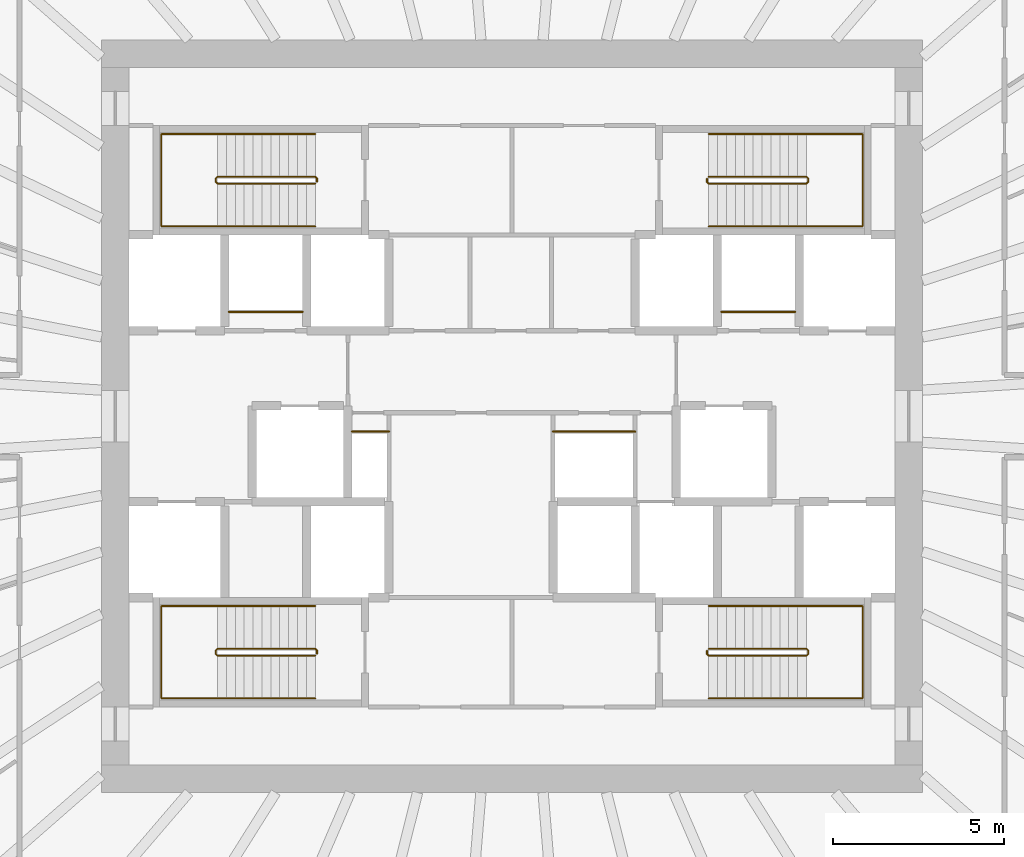
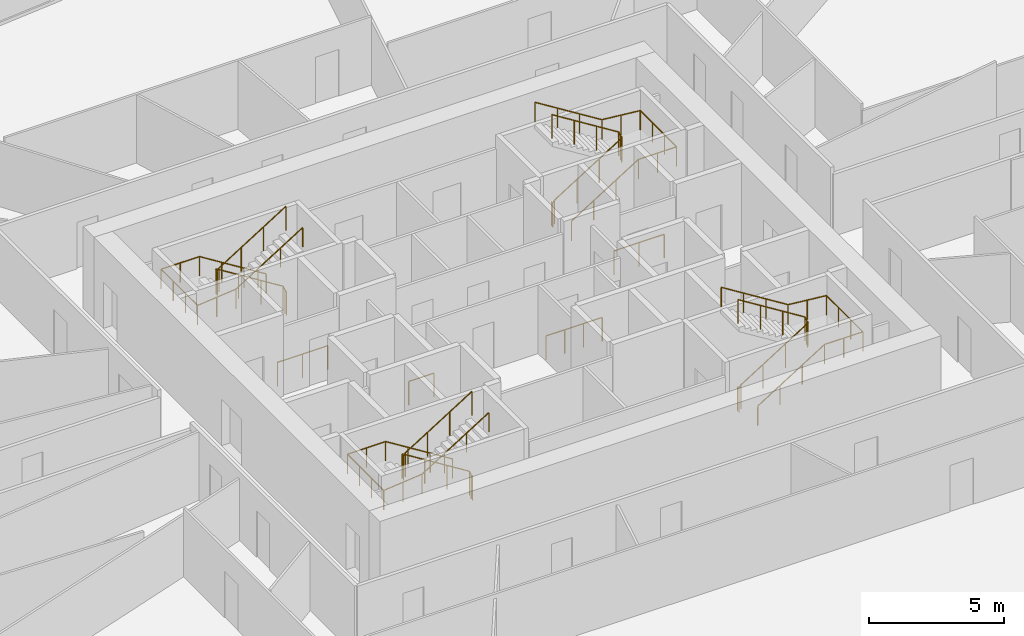
# One storey, part 11 of 11: 12 railings.
"""IFC4 building model written with IfcOpenShell, lengths in metres."""

from ifc_helpers import new_model, si_unit, direction, frame, origin, origin_2d, place, context, subcontext, project, spatial, circle, extrude, source, transform, mapped, material, type_object, element, save


model = new_model("IFC4")

# Units and contexts
model_context = context("Model", 3, precision=1e-05, world=origin(), true_north=direction((0.0, 1.0)))
body_context = subcontext(model_context, "Body", "Model", "MODEL_VIEW")
ifc_project = project(units=[si_unit("LENGTHUNIT", "METRE"), si_unit("AREAUNIT", "SQUARE_METRE"), si_unit("VOLUMEUNIT", "CUBIC_METRE"), si_unit("PLANEANGLEUNIT", "RADIAN"), si_unit("MASSUNIT", "GRAM", prefix="KILO")], contexts=[model_context])

# Site, building, storey
site_placement = place(None, origin())
site = spatial("IfcSite", under=ifc_project, at=site_placement, CompositionType="ELEMENT")
building_placement = place(site_placement, origin())
building = spatial("IfcBuilding", under=site, at=building_placement, Name="Embergate Tower", CompositionType="ELEMENT")
storey_placement = place(building_placement, frame((0.0, 0.0, 139.800048828125)))
storey = spatial("IfcBuildingStorey", under=building, at=storey_placement, Name="L30", CompositionType="ELEMENT", Elevation=139.800048828125)

# Railings
ifc_material_1 = material(Name="Stair guard 1100")
railing_type_1 = type_object("IfcRailingType", Name="Stair guard 1100", PredefinedType="GUARDRAIL", material=ifc_material_1)
shared_shape_1 = source(origin(), body_context, "Body", "SweptSolid", [
    extrude(circle(Radius=0.02392578125, at=origin_2d()), frame((0.0, 0.0, 1.076171875), z_axis=(0.0, 1.0, 0.0), x_axis=(-1.0, 0.0, 0.0)), (0.0, 0.0, 1.0), 0.099853515625),
    extrude(circle(Radius=0.02392578125, at=origin_2d()), frame((0.0, 0.099853515625, 1.076171875), z_axis=(-0.282583949758, 0.282583949758, 0.916674763849), x_axis=(-0.707106781187, -0.707106781187, 0.0)), (0.0, 0.0, 1.0), 0.177001953125),
    extrude(circle(Radius=0.02392578125, at=origin_2d()), frame((-0.050048828125, 0.14990234375, 1.23828125), z_axis=(-0.847994237388, 0.0, 0.530005446535), x_axis=(0.0, -1.0, 0.0)), (0.0, 0.0, 1.0), 3.372802734375),
    extrude(circle(Radius=0.02392578125, at=origin_2d()), frame((-2.91015625, 0.14990234375, 3.02587890625), z_axis=(-0.705375805398, -0.708833529934, 0.0), x_axis=(0.708833529934, -0.705375805398, 0.0)), (0.0, 0.0, 1.0), 0.070556640625),
    extrude(circle(Radius=0.02392578125, at=origin_2d()), frame((-2.9599609375, 0.099853515625, 3.02587890625), z_axis=(0.0, -1.0, 0.0), x_axis=(1.0, 0.0, 0.0)), (0.0, 0.0, 1.0), 0.099853515625),
    extrude(circle(Radius=0.02392578125, at=origin_2d()), frame((-2.9599609375, 0.0, 3.02587890625), z_axis=(0.280959487676, -0.282336740067, 0.917250092119), x_axis=(0.708833529934, 0.705375805398, 0.0)), (0.0, 0.0, 1.0), 0.17724609375),
    extrude(circle(Radius=0.02392578125, at=origin_2d()), frame((-2.91015625, -0.050048828125, 3.1884765625), z_axis=(0.848026770018, 0.0, 0.529953391661), x_axis=(0.0, 1.0, 0.0)), (0.0, 0.0, 1.0), 3.37255859375),
    extrude(circle(Radius=0.02099609375, at=origin_2d()), origin(), (0.0, 0.0, 1.0), 1.052001953125),
    extrude(circle(Radius=0.02099609375, at=origin_2d()), frame((0.0, 0.099853515625, 0.0)), (0.0, 0.0, 1.0), 1.052001953125),
    extrude(circle(Radius=0.02099609375, at=origin_2d()), frame((-0.050048828125, 0.14990234375, 0.162353515625)), (0.0, 0.0, 1.0), 1.052001953125),
    extrude(circle(Radius=0.02099609375, at=origin_2d()), frame((-1.00341796875, 0.14990234375, 0.75830078125)), (0.0, 0.0, 1.0), 1.052001953125),
    extrude(circle(Radius=0.02099609375, at=origin_2d()), frame((-1.956787109375, 0.14990234375, 1.35400390625)), (0.0, 0.0, 1.0), 1.052001953125),
    extrude(circle(Radius=0.02099609375, at=origin_2d()), frame((-2.91015625, 0.14990234375, 1.949951171875)), (0.0, 0.0, 1.0), 1.052001953125),
    extrude(circle(Radius=0.02099609375, at=origin_2d()), frame((-2.9599609375, 0.099853515625, 1.949951171875)), (0.0, 0.0, 1.0), 1.052001953125),
    extrude(circle(Radius=0.02099609375, at=origin_2d()), frame((-2.9599609375, 0.0, 1.949951171875)), (0.0, 0.0, 1.0), 1.052001953125),
    extrude(circle(Radius=0.02099609375, at=origin_2d()), frame((-2.91015625, -0.050048828125, 2.112548828125)), (0.0, 0.0, 1.0), 1.052001953125),
    extrude(circle(Radius=0.02099609375, at=origin_2d()), frame((-1.956787109375, -0.050048828125, 2.708251953125)), (0.0, 0.0, 1.0), 1.052001953125),
    extrude(circle(Radius=0.02099609375, at=origin_2d()), frame((-1.00341796875, -0.050048828125, 3.30419921875)), (0.0, 0.0, 1.0), 1.052001953125),
    extrude(circle(Radius=0.02099609375, at=origin_2d()), frame((-0.050048828125, -0.050048828125, 3.89990234375)), (0.0, 0.0, 1.0), 1.052001953125),
])
for number, where, name in (
    (1, (-5.699951171875, 6.85009765625, 0.0), "L30 ST1 stair guard 1"),
    (2, (-5.699951171875, -6.949951171875, 0.0), "L30 ST3 stair guard 1"),
):
    element("IfcRailing", number, at=place(storey_placement, frame(where)), inside=storey, type_object=railing_type_1, Name=name, PredefinedType="GUARDRAIL", context=body_context, shape_type="MappedRepresentation", body=[
        mapped(shared_shape_1, transform((0.0, 0.0, 0.0))),
    ])
ifc_material_2 = material(Name="Stair handrail 900")
railing_type_2 = type_object("IfcRailingType", Name="Stair handrail 900", PredefinedType="HANDRAIL", material=ifc_material_2)
shared_shape_2 = source(origin(), body_context, "Body", "SweptSolid", [
    extrude(circle(Radius=0.02392578125, at=origin_2d()), frame((0.0, 0.0, 0.8759765625), z_axis=(-0.847994237388, 0.0, 0.530005446535), x_axis=(0.0, -1.0, 0.0)), (0.0, 0.0, 1.0), 3.372802734375),
    extrude(circle(Radius=0.02392578125, at=origin_2d()), frame((-2.860107421875, 0.0, 2.66357421875), z_axis=(-1.0, 0.0, 0.0), x_axis=(0.0, -1.0, 0.0)), (0.0, 0.0, 1.0), 1.639892578125),
    extrude(circle(Radius=0.02392578125, at=origin_2d()), frame((-4.5, 0.0, 2.66357421875), z_axis=(0.0, -1.0, 0.0), x_axis=(1.0, 0.0, 0.0)), (0.0, 0.0, 1.0), 2.699951171875),
    extrude(circle(Radius=0.02392578125, at=origin_2d()), frame((-4.5, -2.699951171875, 2.66357421875), z_axis=(0.995120448088, 0.0, 0.098667592441), x_axis=(0.0, 1.0, 0.0)), (0.0, 0.0, 1.0), 1.64794921875),
    extrude(circle(Radius=0.02392578125, at=origin_2d()), frame((-2.860107421875, -2.699951171875, 2.826171875), z_axis=(0.848026770018, 0.0, 0.529953391661), x_axis=(0.0, 1.0, 0.0)), (0.0, 0.0, 1.0), 3.37255859375),
    extrude(circle(Radius=0.02099609375, at=origin_2d()), origin(), (0.0, 0.0, 1.0), 0.851806640625),
    extrude(circle(Radius=0.02099609375, at=origin_2d()), frame((-0.953369140625, 0.0, 0.595947265625)), (0.0, 0.0, 1.0), 0.851806640625),
    extrude(circle(Radius=0.02099609375, at=origin_2d()), frame((-1.90673828125, 0.0, 1.191650390625)), (0.0, 0.0, 1.0), 0.851806640625),
    extrude(circle(Radius=0.02099609375, at=origin_2d()), frame((-2.860107421875, 0.0, 1.78759765625)), (0.0, 0.0, 1.0), 0.851806640625),
    extrude(circle(Radius=0.02099609375, at=origin_2d()), frame((-3.68017578125, 0.0, 1.78759765625)), (0.0, 0.0, 1.0), 0.851806640625),
    extrude(circle(Radius=0.02099609375, at=origin_2d()), frame((-4.5, 0.0, 1.78759765625)), (0.0, 0.0, 1.0), 0.851806640625),
    extrude(circle(Radius=0.02099609375, at=origin_2d()), frame((-4.5, -0.89990234375, 1.78759765625)), (0.0, 0.0, 1.0), 0.851806640625),
    extrude(circle(Radius=0.02099609375, at=origin_2d()), frame((-4.5, -1.800048828125, 1.78759765625)), (0.0, 0.0, 1.0), 0.851806640625),
    extrude(circle(Radius=0.02099609375, at=origin_2d()), frame((-4.5, -2.699951171875, 1.78759765625)), (0.0, 0.0, 1.0), 0.851806640625),
    extrude(circle(Radius=0.02099609375, at=origin_2d()), frame((-3.68017578125, -2.699951171875, 1.868896484375)), (0.0, 0.0, 1.0), 0.851806640625),
    extrude(circle(Radius=0.02099609375, at=origin_2d()), frame((-2.860107421875, -2.699951171875, 1.9501953125)), (0.0, 0.0, 1.0), 0.851806640625),
    extrude(circle(Radius=0.02099609375, at=origin_2d()), frame((-1.90673828125, -2.699951171875, 2.5458984375)), (0.0, 0.0, 1.0), 0.851806640625),
    extrude(circle(Radius=0.02099609375, at=origin_2d()), frame((-0.953369140625, -2.699951171875, 3.141845703125)), (0.0, 0.0, 1.0), 0.851806640625),
    extrude(circle(Radius=0.02099609375, at=origin_2d()), frame((0.0, -2.699951171875, 3.737548828125)), (0.0, 0.0, 1.0), 0.851806640625),
])
for number, where, name in (
    (3, (-5.75, 8.25, 0.162353515625), "L30 ST1 stair handrail 1"),
    (4, (-5.75, -5.550048828125, 0.162353515625), "L30 ST3 stair handrail 1"),
):
    element("IfcRailing", number, at=place(storey_placement, frame(where)), inside=storey, type_object=railing_type_2, Name=name, PredefinedType="HANDRAIL", context=body_context, shape_type="MappedRepresentation", body=[
        mapped(shared_shape_2, transform((0.0, 0.0, 0.0))),
    ])
shared_shape_3 = source(origin(), body_context, "Body", "SweptSolid", [
    extrude(circle(Radius=0.02392578125, at=origin_2d()), frame((0.0, 0.0, 1.076171875), z_axis=(0.0, -1.0, 0.0), x_axis=(1.0, 0.0, 0.0)), (0.0, 0.0, 1.0), 0.099853515625),
    extrude(circle(Radius=0.02392578125, at=origin_2d()), frame((0.0, -0.099853515625, 1.076171875), z_axis=(0.282583949758, -0.282583949758, 0.916674763849), x_axis=(0.707106781187, 0.707106781187, 0.0)), (0.0, 0.0, 1.0), 0.177001953125),
    extrude(circle(Radius=0.02392578125, at=origin_2d()), frame((0.050048828125, -0.14990234375, 1.23828125), z_axis=(0.847994237388, 0.0, 0.530005446535), x_axis=(0.0, 1.0, 0.0)), (0.0, 0.0, 1.0), 3.372802734375),
    extrude(circle(Radius=0.02392578125, at=origin_2d()), frame((2.91015625, -0.14990234375, 3.02587890625), z_axis=(0.705375805398, 0.708833529934, 0.0), x_axis=(-0.708833529934, 0.705375805398, 0.0)), (0.0, 0.0, 1.0), 0.070556640625),
    extrude(circle(Radius=0.02392578125, at=origin_2d()), frame((2.9599609375, -0.099853515625, 3.02587890625), z_axis=(0.0, 1.0, 0.0), x_axis=(-1.0, 0.0, 0.0)), (0.0, 0.0, 1.0), 0.099853515625),
    extrude(circle(Radius=0.02392578125, at=origin_2d()), frame((2.9599609375, 0.0, 3.02587890625), z_axis=(-0.280959487676, 0.282336740067, 0.917250092119), x_axis=(-0.708833529934, -0.705375805398, 0.0)), (0.0, 0.0, 1.0), 0.17724609375),
    extrude(circle(Radius=0.02392578125, at=origin_2d()), frame((2.91015625, 0.050048828125, 3.1884765625), z_axis=(-0.848026770018, 0.0, 0.529953391661), x_axis=(0.0, -1.0, 0.0)), (0.0, 0.0, 1.0), 3.37255859375),
    extrude(circle(Radius=0.02099609375, at=origin_2d()), origin(), (0.0, 0.0, 1.0), 1.052001953125),
    extrude(circle(Radius=0.02099609375, at=origin_2d()), frame((0.0, -0.099853515625, 0.0)), (0.0, 0.0, 1.0), 1.052001953125),
    extrude(circle(Radius=0.02099609375, at=origin_2d()), frame((0.050048828125, -0.14990234375, 0.162353515625)), (0.0, 0.0, 1.0), 1.052001953125),
    extrude(circle(Radius=0.02099609375, at=origin_2d()), frame((1.00341796875, -0.14990234375, 0.75830078125)), (0.0, 0.0, 1.0), 1.052001953125),
    extrude(circle(Radius=0.02099609375, at=origin_2d()), frame((1.956787109375, -0.14990234375, 1.35400390625)), (0.0, 0.0, 1.0), 1.052001953125),
    extrude(circle(Radius=0.02099609375, at=origin_2d()), frame((2.91015625, -0.14990234375, 1.949951171875)), (0.0, 0.0, 1.0), 1.052001953125),
    extrude(circle(Radius=0.02099609375, at=origin_2d()), frame((2.9599609375, -0.099853515625, 1.949951171875)), (0.0, 0.0, 1.0), 1.052001953125),
    extrude(circle(Radius=0.02099609375, at=origin_2d()), frame((2.9599609375, 0.0, 1.949951171875)), (0.0, 0.0, 1.0), 1.052001953125),
    extrude(circle(Radius=0.02099609375, at=origin_2d()), frame((2.91015625, 0.050048828125, 2.112548828125)), (0.0, 0.0, 1.0), 1.052001953125),
    extrude(circle(Radius=0.02099609375, at=origin_2d()), frame((1.956787109375, 0.050048828125, 2.708251953125)), (0.0, 0.0, 1.0), 1.052001953125),
    extrude(circle(Radius=0.02099609375, at=origin_2d()), frame((1.00341796875, 0.050048828125, 3.30419921875)), (0.0, 0.0, 1.0), 1.052001953125),
    extrude(circle(Radius=0.02099609375, at=origin_2d()), frame((0.050048828125, 0.050048828125, 3.89990234375)), (0.0, 0.0, 1.0), 1.052001953125),
])
for number, where, name in (
    (5, (5.699951171875, 6.949951171875, 0.0), "L30 ST2 stair guard 1"),
    (6, (5.699951171875, -6.85009765625, 0.0), "L30 ST4 stair guard 1"),
):
    element("IfcRailing", number, at=place(storey_placement, frame(where)), inside=storey, type_object=railing_type_1, Name=name, PredefinedType="GUARDRAIL", context=body_context, shape_type="MappedRepresentation", body=[
        mapped(shared_shape_3, transform((0.0, 0.0, 0.0))),
    ])
shared_shape_4 = source(origin(), body_context, "Body", "SweptSolid", [
    extrude(circle(Radius=0.02392578125, at=origin_2d()), frame((0.0, 0.0, 0.8759765625), z_axis=(0.847994237388, 0.0, 0.530005446535), x_axis=(0.0, 1.0, 0.0)), (0.0, 0.0, 1.0), 3.372802734375),
    extrude(circle(Radius=0.02392578125, at=origin_2d()), frame((2.860107421875, 0.0, 2.66357421875), z_axis=(1.0, 0.0, 0.0), x_axis=(0.0, 1.0, 0.0)), (0.0, 0.0, 1.0), 1.639892578125),
    extrude(circle(Radius=0.02392578125, at=origin_2d()), frame((4.5, 0.0, 2.66357421875), z_axis=(0.0, 1.0, 0.0), x_axis=(-1.0, 0.0, 0.0)), (0.0, 0.0, 1.0), 2.699951171875),
    extrude(circle(Radius=0.02392578125, at=origin_2d()), frame((4.5, 2.699951171875, 2.66357421875), z_axis=(-0.995120448088, 0.0, 0.098667592441), x_axis=(0.0, -1.0, 0.0)), (0.0, 0.0, 1.0), 1.64794921875),
    extrude(circle(Radius=0.02392578125, at=origin_2d()), frame((2.860107421875, 2.699951171875, 2.826171875), z_axis=(-0.848026770018, 0.0, 0.529953391661), x_axis=(0.0, -1.0, 0.0)), (0.0, 0.0, 1.0), 3.37255859375),
    extrude(circle(Radius=0.02099609375, at=origin_2d()), origin(), (0.0, 0.0, 1.0), 0.851806640625),
    extrude(circle(Radius=0.02099609375, at=origin_2d()), frame((0.953369140625, 0.0, 0.595947265625)), (0.0, 0.0, 1.0), 0.851806640625),
    extrude(circle(Radius=0.02099609375, at=origin_2d()), frame((1.90673828125, 0.0, 1.191650390625)), (0.0, 0.0, 1.0), 0.851806640625),
    extrude(circle(Radius=0.02099609375, at=origin_2d()), frame((2.860107421875, 0.0, 1.78759765625)), (0.0, 0.0, 1.0), 0.851806640625),
    extrude(circle(Radius=0.02099609375, at=origin_2d()), frame((3.68017578125, 0.0, 1.78759765625)), (0.0, 0.0, 1.0), 0.851806640625),
    extrude(circle(Radius=0.02099609375, at=origin_2d()), frame((4.5, 0.0, 1.78759765625)), (0.0, 0.0, 1.0), 0.851806640625),
    extrude(circle(Radius=0.02099609375, at=origin_2d()), frame((4.5, 0.89990234375, 1.78759765625)), (0.0, 0.0, 1.0), 0.851806640625),
    extrude(circle(Radius=0.02099609375, at=origin_2d()), frame((4.5, 1.800048828125, 1.78759765625)), (0.0, 0.0, 1.0), 0.851806640625),
    extrude(circle(Radius=0.02099609375, at=origin_2d()), frame((4.5, 2.699951171875, 1.78759765625)), (0.0, 0.0, 1.0), 0.851806640625),
    extrude(circle(Radius=0.02099609375, at=origin_2d()), frame((3.68017578125, 2.699951171875, 1.868896484375)), (0.0, 0.0, 1.0), 0.851806640625),
    extrude(circle(Radius=0.02099609375, at=origin_2d()), frame((2.860107421875, 2.699951171875, 1.9501953125)), (0.0, 0.0, 1.0), 0.851806640625),
    extrude(circle(Radius=0.02099609375, at=origin_2d()), frame((1.90673828125, 2.699951171875, 2.5458984375)), (0.0, 0.0, 1.0), 0.851806640625),
    extrude(circle(Radius=0.02099609375, at=origin_2d()), frame((0.953369140625, 2.699951171875, 3.141845703125)), (0.0, 0.0, 1.0), 0.851806640625),
    extrude(circle(Radius=0.02099609375, at=origin_2d()), frame((0.0, 2.699951171875, 3.737548828125)), (0.0, 0.0, 1.0), 0.851806640625),
])
for number, where, name in (
    (7, (5.75, 5.550048828125, 0.162353515625), "L30 ST2 stair handrail 1"),
    (8, (5.75, -8.25, 0.162353515625), "L30 ST4 stair handrail 1"),
):
    element("IfcRailing", number, at=place(storey_placement, frame(where)), inside=storey, type_object=railing_type_2, Name=name, PredefinedType="HANDRAIL", context=body_context, shape_type="MappedRepresentation", body=[
        mapped(shared_shape_4, transform((0.0, 0.0, 0.0))),
    ])
ifc_material_3 = material(Name="Opening guard 1100")
railing_type_3 = type_object("IfcRailingType", Name="Opening guard 1100", PredefinedType="GUARDRAIL", material=ifc_material_3)
shared_shape_5 = source(origin(), body_context, "Body", "SweptSolid", [
    extrude(circle(Radius=0.02392578125, at=origin_2d()), frame((0.0, 0.0, 1.076171875), z_axis=(1.0, 0.0, 0.0), x_axis=(0.0, 1.0, 0.0)), (0.0, 0.0, 1.0), 2.14990234375),
    extrude(circle(Radius=0.02099609375, at=origin_2d()), origin(), (0.0, 0.0, 1.0), 1.052001953125),
    extrude(circle(Radius=0.02099609375, at=origin_2d()), frame((1.074951171875, 0.0, 0.0)), (0.0, 0.0, 1.0), 1.052001953125),
    extrude(circle(Radius=0.02099609375, at=origin_2d()), frame((2.14990234375, 0.0, 0.0)), (0.0, 0.0, 1.0), 1.052001953125),
])
for number, where, name in (
    (9, (-8.27490234375, 3.050048828125, 0.0), "Riser opening guard"),
    (10, (6.125, 3.050048828125, 0.0), "Riser opening guard"),
):
    element("IfcRailing", number, at=place(storey_placement, frame(where)), inside=storey, type_object=railing_type_3, Name=name, PredefinedType="GUARDRAIL", context=body_context, shape_type="MappedRepresentation", body=[
        mapped(shared_shape_5, transform((0.0, 0.0, 0.0))),
    ])
shared_shape_6 = source(origin(), body_context, "Body", "SweptSolid", [
    extrude(circle(Radius=0.02392578125, at=origin_2d()), frame((0.0, 0.0, 1.076171875), z_axis=(1.0, 0.0, 0.0), x_axis=(0.0, 1.0, 0.0)), (0.0, 0.0, 1.0), 1.074951171875),
    extrude(circle(Radius=0.02099609375, at=origin_2d()), origin(), (0.0, 0.0, 1.0), 1.052001953125),
    extrude(circle(Radius=0.02099609375, at=origin_2d()), frame((1.074951171875, 0.0, 0.0)), (0.0, 0.0, 1.0), 1.052001953125),
])
railing_1_placement = place(storey_placement, frame((-4.675048828125, -0.449951171875, 0.0)))
element("IfcRailing", 11, at=railing_1_placement, inside=storey, type_object=railing_type_3, Name="Riser opening guard", PredefinedType="GUARDRAIL", context=body_context, shape_type="MappedRepresentation", body=[
    mapped(shared_shape_6, transform((0.0, 0.0, 0.0))),
])
shared_shape_7 = source(origin(), body_context, "Body", "SweptSolid", [
    extrude(circle(Radius=0.02392578125, at=origin_2d()), frame((0.0, 0.0, 1.076171875), z_axis=(1.0, 0.0, 0.0), x_axis=(0.0, 1.0, 0.0)), (0.0, 0.0, 1.0), 2.400146484375),
    extrude(circle(Radius=0.02099609375, at=origin_2d()), origin(), (0.0, 0.0, 1.0), 1.052001953125),
    extrude(circle(Radius=0.02099609375, at=origin_2d()), frame((0.800048828125, 0.0, 0.0)), (0.0, 0.0, 1.0), 1.052001953125),
    extrude(circle(Radius=0.02099609375, at=origin_2d()), frame((1.60009765625, 0.0, 0.0)), (0.0, 0.0, 1.0), 1.052001953125),
    extrude(circle(Radius=0.02099609375, at=origin_2d()), frame((2.400146484375, 0.0, 0.0)), (0.0, 0.0, 1.0), 1.052001953125),
])
railing_2_placement = place(storey_placement, frame((1.199951171875, -0.449951171875, 0.0)))
element("IfcRailing", 12, at=railing_2_placement, inside=storey, type_object=railing_type_3, Name="Riser opening guard", PredefinedType="GUARDRAIL", context=body_context, shape_type="MappedRepresentation", body=[
    mapped(shared_shape_7, transform((0.0, 0.0, 0.0))),
])

save(model, "model.ifc")
